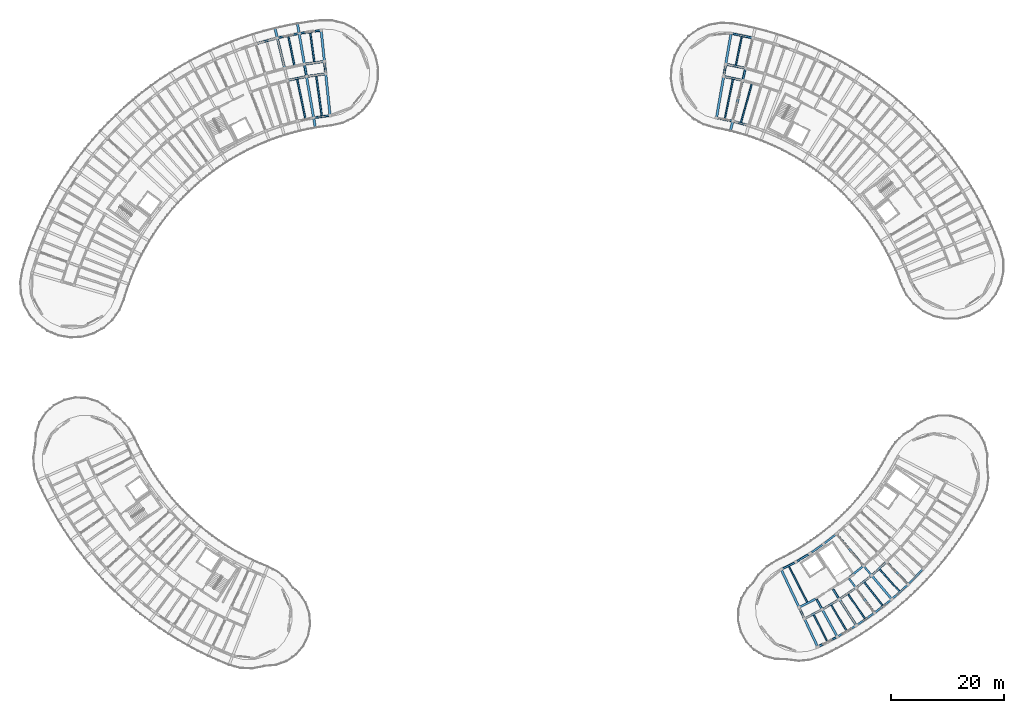
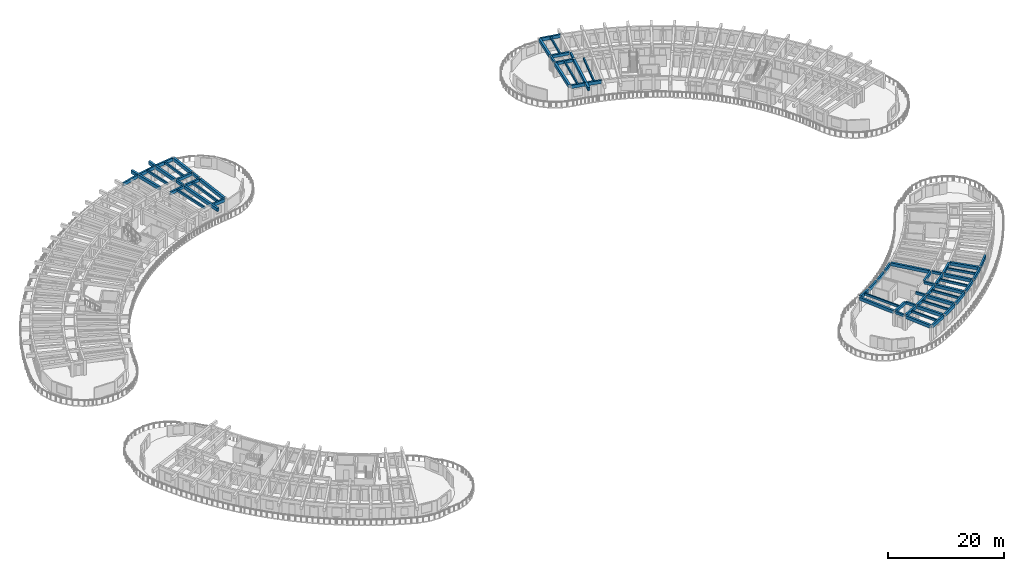
# One storey, part 9 of 56: 67 beams.
"""IFC4 building model written with IfcOpenShell, lengths in metres."""

import ifcopenshell
import ifcopenshell.guid

model = None  # the IFC model being written
_history = None  # IfcOwnerHistory: only IFC2X3 demands one
_inside = {}  # id of a spatial element -> (the spatial element, [elements in it])
_under = {}  # id of a project, library or spatial element -> (it, [spatial elements below it])
_declared = {}  # id of a project -> (the project, [libraries it declares])
_typed = {}  # id of a type object -> (the type object, [elements of that type])
_made_of = {}  # id of a material, layer set ... -> (it, [elements and type objects made of it])


def new_model(schema):
    """Start an empty IFC model of exactly this schema.

    Asked for "IFC4X3", IfcOpenShell would pick the latest addendum, in which some entities
    have other attributes; the version numbers below select the first issue.
    IFC2X3 requires an IfcOwnerHistory on every rooted entity: one is made here for all.
    """
    global model, _history
    if schema == "IFC4X3":
        model = ifcopenshell.file(schema_version=(4, 3, 0, 0))
    else:
        model = ifcopenshell.file(schema=schema)
    _inside.clear()
    _under.clear()
    _declared.clear()
    _typed.clear()
    _made_of.clear()
    _history = None
    if model.schema == "IFC2X3":
        org = make("IfcOrganization", Name="unknown")
        user = make(
            "IfcPersonAndOrganization",
            ThePerson=make("IfcPerson", FamilyName="unknown"),
            TheOrganization=org,
        )
        app = make(
            "IfcApplication",
            ApplicationDeveloper=org,
            Version="unknown",
            ApplicationFullName="unknown",
            ApplicationIdentifier="unknown",
        )
        _history = make(
            "IfcOwnerHistory",
            OwningUser=user,
            OwningApplication=app,
            ChangeAction="ADDED",
            CreationDate=0,
        )
    return model


def make(cls, **values):
    """One entity of the class cls with the attributes given. An attribute that is None is left unset."""
    return model.create_entity(
        cls, **{name: value for name, value in values.items() if value is not None}
    )


def rooted(cls, **values):
    """An entity with a GlobalId (a new one), such as an element, a storey or a relation."""
    return make(cls, GlobalId=ifcopenshell.guid.new(), OwnerHistory=_history, **values)


def si_unit(unit_type, name, prefix=None):
    """IfcSIUnit, for example si_unit("LENGTHUNIT", "METRE", prefix="MILLI")."""
    return make("IfcSIUnit", UnitType=unit_type, Prefix=prefix, Name=name)


def assignment(units):
    """IfcUnitAssignment: the units of a project."""
    return None if units is None else make("IfcUnitAssignment", Units=units)


def point(xyz):
    """IfcCartesianPoint."""
    return None if xyz is None else make("IfcCartesianPoint", Coordinates=xyz)


def direction(xyz):
    """IfcDirection."""
    return None if xyz is None else make("IfcDirection", DirectionRatios=xyz)


def frame(location, z_axis=None, x_axis=None):
    """IfcAxis2Placement3D, a coordinate frame: its origin and axes. An axis left out is left unset."""
    return make(
        "IfcAxis2Placement3D",
        Location=point(location),
        Axis=direction(z_axis),
        RefDirection=direction(x_axis),
    )


def frame_2d(location, x_axis=None):
    """IfcAxis2Placement2D, a coordinate frame in the plane: its origin and x axis."""
    return make(
        "IfcAxis2Placement2D", Location=point(location), RefDirection=direction(x_axis)
    )


def origin():
    """The frame at (0, 0, 0) with its axes left unset."""
    return frame((0.0, 0.0, 0.0))


def origin_2d():
    """The frame at (0, 0) in the plane with its x axis left unset."""
    return frame_2d((0.0, 0.0))


def place(relative_to, where):
    """IfcLocalPlacement: puts the frame where relative to a parent placement (None: the world)."""
    return make(
        "IfcLocalPlacement", PlacementRelTo=relative_to, RelativePlacement=where
    )


def context(
    kind, dimensions, precision=None, world=None, true_north=None, identifier=None
):
    """IfcGeometricRepresentationContext, for example the 3D "Model" context."""
    return make(
        "IfcGeometricRepresentationContext",
        ContextIdentifier=identifier,
        ContextType=kind,
        CoordinateSpaceDimension=dimensions,
        Precision=precision,
        WorldCoordinateSystem=world,
        TrueNorth=true_north,
    )


def subcontext(parent, identifier, kind, view, scale=None):
    """IfcGeometricRepresentationSubContext, for example "Body" below "Model"."""
    return make(
        "IfcGeometricRepresentationSubContext",
        ContextIdentifier=identifier,
        ContextType=kind,
        ParentContext=parent,
        TargetScale=scale,
        TargetView=view,
    )


def project(units=None, contexts=None):
    """IfcProject with its units and contexts."""
    return rooted(
        "IfcProject",
        Name="project",
        RepresentationContexts=contexts,
        UnitsInContext=assignment(units),
    )


def spatial(cls, under=None, at=None, **own):
    """A site, building, storey or space (cls), placed at a placement, below another one or the project."""
    s = rooted(cls, ObjectPlacement=at, **own)
    if under is not None:
        _under.setdefault(under.id(), (under, []))[1].append(s)
    return s


def profile(cls, at=None, kind="AREA", **sizes):
    """A parametric profile (cls). Its sizes go by their IFC names, for example OverallWidth=200.0."""
    return make(cls, ProfileType=kind, Position=at, **sizes)


def rectangle(**sizes):
    """IfcRectangleProfileDef."""
    return profile("IfcRectangleProfileDef", **sizes)


def extrude(swept, where, along, depth):
    """IfcExtrudedAreaSolid: the profile swept, set in the frame where, extruded along a direction by depth."""
    return make(
        "IfcExtrudedAreaSolid",
        SweptArea=swept,
        Position=where,
        ExtrudedDirection=direction(along),
        Depth=depth,
    )


def shape(context_of_items, identifier, shape_type, items):
    """IfcShapeRepresentation: the items that make up one representation, for example the "Body"."""
    return make(
        "IfcShapeRepresentation",
        ContextOfItems=context_of_items,
        RepresentationIdentifier=identifier,
        RepresentationType=shape_type,
        Items=items,
    )


def material(Name=None, Category=None):
    """IfcMaterial."""
    return make("IfcMaterial", Name=Name, Category=Category)


def material_profile(
    of_material, cross_section, Name=None, Category=None, Priority=None
):
    """IfcMaterialProfile: a cross section and its material."""
    return make(
        "IfcMaterialProfile",
        Name=Name,
        Material=of_material,
        Profile=cross_section,
        Priority=Priority,
        Category=Category,
    )


def profile_set(profiles, Name=None, composite=None):
    """IfcMaterialProfileSet."""
    return make(
        "IfcMaterialProfileSet",
        Name=Name,
        MaterialProfiles=profiles,
        CompositeProfile=composite,
    )


def made_of(thing, what):
    """Note that an element or type object is made of a material, layer set ...; save() writes the relation."""
    if what is not None:
        _made_of.setdefault(what.id(), (what, []))[1].append(thing)
    return thing


def type_object(cls, material=None, **own):
    """A type object (cls), such as IfcWallType, which elements share."""
    return made_of(rooted(cls, **own), material)


def element(
    cls,
    number,
    at=None,
    inside=None,
    cuts=None,
    type_object=None,
    material=None,
    context=None,
    identifier="Body",
    shape_type=None,
    held_by="IfcProductDefinitionShape",
    body=None,
    shapes=None,
    **own,
):
    """One element of the class cls, such as IfcWall. Its Tag is "e" and its number.

    at: its placement. inside: the storey or other place that contains it. cuts: it is an
    opening in that element (IfcRelVoidsElement). A single representation is given by context,
    identifier, shape_type and body (its items); several are given by shapes. held_by: the class
    of the entity that holds the representations. save() writes the other relations.
    """
    e = rooted(cls, Tag="e%d" % number, ObjectPlacement=at, **own)
    if body is not None:
        shapes = [shape(context, identifier, shape_type, body)]
    if shapes is not None:
        e.Representation = make(held_by, Representations=shapes)
    if inside is not None:
        _inside.setdefault(inside.id(), (inside, []))[1].append(e)
    if cuts is not None:
        rooted(
            "IfcRelVoidsElement", RelatingBuildingElement=cuts, RelatedOpeningElement=e
        )
    if type_object is not None:
        _typed.setdefault(type_object.id(), (type_object, []))[1].append(e)
    return made_of(e, material)


def aggregate(whole, parts):
    """IfcRelAggregates: a whole, such as a stair, and the parts it consists of."""
    return rooted("IfcRelAggregates", RelatingObject=whole, RelatedObjects=parts)


def save(model, path):
    """Write the relations noted so far, then the file.

    IfcRelAggregates (storeys below a building ...), IfcRelContainedInSpatialStructure (elements
    in a storey), IfcRelDefinesByType, IfcRelAssociatesMaterial and IfcRelDeclares: one each for
    every whole, place, type object, material and project.
    """
    for whole, parts in _under.values():
        aggregate(whole, parts)
    for where, things in _inside.values():
        rooted(
            "IfcRelContainedInSpatialStructure",
            RelatedElements=things,
            RelatingStructure=where,
        )
    for kind, things in _typed.values():
        rooted("IfcRelDefinesByType", RelatedObjects=things, RelatingType=kind)
    for what, things in _made_of.values():
        rooted("IfcRelAssociatesMaterial", RelatedObjects=things, RelatingMaterial=what)
    for by, libraries in _declared.values():
        rooted("IfcRelDeclares", RelatingContext=by, RelatedDefinitions=libraries)
    model.write(path)


model = new_model("IFC4")

# Units and contexts
model_context = context("Model", 3, precision=1e-05, world=origin(), true_north=direction((0.0, 1.0)))
body_context = subcontext(model_context, "Body", "Model", "MODEL_VIEW")
ifc_project = project(units=[si_unit("LENGTHUNIT", "METRE"), si_unit("AREAUNIT", "SQUARE_METRE"), si_unit("VOLUMEUNIT", "CUBIC_METRE"), si_unit("PLANEANGLEUNIT", "RADIAN"), si_unit("MASSUNIT", "GRAM", prefix="KILO")], contexts=[model_context])

# Site, building, storey
site_placement = place(None, origin())
site = spatial("IfcSite", under=ifc_project, at=site_placement, CompositionType="ELEMENT")
building_placement = place(site_placement, origin())
building = spatial("IfcBuilding", under=site, at=building_placement, Name="Tanwirah Colonnade Gardens", CompositionType="ELEMENT")
storey_placement = place(building_placement, frame((0.0, 0.0, 29.0)))
storey = spatial("IfcBuildingStorey", under=building, at=storey_placement, Name="L08", CompositionType="ELEMENT", Elevation=29.0)

# Beams
ifc_material_1 = material(Name="Precast concrete C40/50", Category="concrete")
ifc_material_profile_1 = material_profile(ifc_material_1, rectangle(XDim=0.360107421875, YDim=0.610107421875, at=origin_2d()), Name="PC-BM 360x610")
ifc_profile_set_1 = profile_set([ifc_material_profile_1], Name="Precast concrete C40/50")
beam_type_1 = type_object("IfcBeamType", Name="BM-PC300", PredefinedType="BEAM", material=ifc_profile_set_1)
beam_1_placement = place(storey_placement, frame((143.2509765625, 17.67236328125, 2.820068359375), z_axis=(0.890027741769, 0.45590637074, 0.0), x_axis=(-0.45590637074, 0.890027741769, 0.0)))
element("IfcBeam", 1, at=beam_1_placement, inside=storey, type_object=beam_type_1, Name="Block D L08 Circumferential Beam 3-R1", PredefinedType="BEAM", context=body_context, shape_type="SweptSolid", body=[
    extrude(rectangle(XDim=0.360107421875, YDim=0.610107421875, at=origin_2d()), origin(), (0.0, 0.0, 1.0), 3.093017578125),
])
beam_2_placement = place(storey_placement, frame((144.189453125, 15.6826171875, 2.820068359375), z_axis=(0.890025451153, 0.45591084249, 0.0), x_axis=(-0.45591084249, 0.890025451153, 0.0)))
element("IfcBeam", 2, at=beam_2_placement, inside=storey, type_object=beam_type_1, Name="Block D L08 Circumferential Beam 3-R2", PredefinedType="BEAM", context=body_context, shape_type="SweptSolid", body=[
    extrude(rectangle(XDim=0.360107421875, YDim=0.610107421875, at=origin_2d()), origin(), (0.0, 0.0, 1.0), 3.237060546875),
])
beam_3_placement = place(storey_placement, frame((147.332763671875, 17.3037109375, 2.820068359375), z_axis=(0.858270604513, 0.513197398111, 0.0), x_axis=(-0.513197398111, 0.858270604513, 0.0)))
element("IfcBeam", 3, at=beam_3_placement, inside=storey, type_object=beam_type_1, Name="Block D L08 Circumferential Beam 4-R2", PredefinedType="BEAM", context=body_context, shape_type="SweptSolid", body=[
    extrude(rectangle(XDim=0.360107421875, YDim=0.610107421875, at=origin_2d()), origin(), (0.0, 0.0, 1.0), 3.23681640625),
])
beam_4_placement = place(storey_placement, frame((150.363037109375, 19.126953125, 2.820068359375), z_axis=(0.822889344221, 0.568201660651, 0.0), x_axis=(-0.568201660651, 0.822889344221, 0.0)))
element("IfcBeam", 4, at=beam_4_placement, inside=storey, type_object=beam_type_1, Name="Block D L08 Circumferential Beam 5-R2", PredefinedType="BEAM", context=body_context, shape_type="SweptSolid", body=[
    extrude(rectangle(XDim=0.360107421875, YDim=0.610107421875, at=origin_2d()), origin(), (0.0, 0.0, 1.0), 3.237060546875),
])
beam_5_placement = place(storey_placement, frame((151.959228515625, 22.9130859375, 2.820068359375), z_axis=(0.783962588163, 0.62080807047, 0.0), x_axis=(-0.62080807047, 0.783962588163, 0.0)))
element("IfcBeam", 5, at=beam_5_placement, inside=storey, type_object=beam_type_1, Name="Block D L08 Circumferential Beam 6-R1", PredefinedType="BEAM", context=body_context, shape_type="SweptSolid", body=[
    extrude(rectangle(XDim=0.360107421875, YDim=0.610107421875, at=origin_2d()), origin(), (0.0, 0.0, 1.0), 3.093017578125),
])
beam_6_placement = place(storey_placement, frame((153.267822265625, 21.144775390625, 2.820068359375), z_axis=(0.783993819374, 0.620768629349, 0.0), x_axis=(-0.620768629349, 0.783993819374, 0.0)))
element("IfcBeam", 6, at=beam_6_placement, inside=storey, type_object=beam_type_1, Name="Block D L08 Circumferential Beam 6-R2", PredefinedType="BEAM", context=body_context, shape_type="SweptSolid", body=[
    extrude(rectangle(XDim=0.360107421875, YDim=0.610107421875, at=origin_2d()), origin(), (0.0, 0.0, 1.0), 3.23681640625),
])
beam_7_placement = place(storey_placement, frame((156.0341796875, 23.347900390625, 2.820068359375), z_axis=(0.741701929733, 0.670729638104, 0.0), x_axis=(-0.670729638104, 0.741701929733, 0.0)))
element("IfcBeam", 7, at=beam_7_placement, inside=storey, type_object=beam_type_1, Name="Block D L08 Circumferential Beam 7-R2", PredefinedType="BEAM", context=body_context, shape_type="SweptSolid", body=[
    extrude(rectangle(XDim=0.360107421875, YDim=0.610107421875, at=origin_2d()), origin(), (0.0, 0.0, 1.0), 3.237060546875),
])
ifc_material_profile_2 = material_profile(ifc_material_1, rectangle(XDim=0.320068359375, YDim=0.52001953125, at=origin_2d()), Name="PC-BM 320x520")
ifc_profile_set_2 = profile_set([ifc_material_profile_2], Name="Precast concrete C40/50")
beam_type_2 = type_object("IfcBeamType", Name="BM-PC320", PredefinedType="BEAM", material=ifc_profile_set_2)
for number, where, z_axis, x_axis, name in (
    (8, (133.188232421875, 110.75146484375, 2.85498046875), (0.234364199778, 0.972148868159, 0.0), (-0.972148868159, 0.234364199778, 0.0), "Block B L08 Corridor Tie Beam 16"),
    (9, (129.8310546875, 111.444580078125, 2.85498046875), (0.169855285462, 0.985469016256, 0.0), (-0.985469016256, 0.169855285462, 0.0), "Block B L08 Corridor Tie Beam 17"),
):
    element("IfcBeam", number, at=place(storey_placement, frame(where, z_axis=z_axis, x_axis=x_axis)), inside=storey, type_object=beam_type_2, Name=name, PredefinedType="BEAM", context=body_context, shape_type="SweptSolid", body=[
        extrude(rectangle(XDim=0.320068359375, YDim=0.52001953125, at=origin_2d()), origin(), (0.0, 0.0, 1.0), 1.900146484375),
    ])
beam_8_placement = place(storey_placement, frame((143.181640625, 17.46826171875, 2.864990234375), z_axis=(0.426483812015, -0.904495195172, 0.0), x_axis=(0.904495195172, 0.426483812015, 0.0)))
element("IfcBeam", 10, at=beam_8_placement, inside=storey, type_object=beam_type_2, Name="Block D L08 Corridor Tie Beam 3", PredefinedType="BEAM", context=body_context, shape_type="SweptSolid", body=[
    extrude(rectangle(XDim=0.320068359375, YDim=0.52001953125, at=origin_2d()), origin(), (0.0, 0.0, 1.0), 1.89990234375),
])
beam_9_placement = place(storey_placement, frame((146.210205078125, 19.019775390625, 2.864990234375), z_axis=(0.484791759649, -0.874629607192, 0.0), x_axis=(0.874629607192, 0.484791759649, 0.0)))
element("IfcBeam", 11, at=beam_9_placement, inside=storey, type_object=beam_type_2, Name="Block D L08 Corridor Tie Beam 4", PredefinedType="BEAM", context=body_context, shape_type="SweptSolid", body=[
    extrude(rectangle(XDim=0.320068359375, YDim=0.52001953125, at=origin_2d()), origin(), (0.0, 0.0, 1.0), 1.900146484375),
])
beam_10_placement = place(storey_placement, frame((149.130615234375, 20.765869140625, 2.864990234375), z_axis=(0.540984881989, -0.841032316537, 0.0), x_axis=(0.841032316537, 0.540984881989, 0.0)))
element("IfcBeam", 12, at=beam_10_placement, inside=storey, type_object=beam_type_2, Name="Block D L08 Corridor Tie Beam 5", PredefinedType="BEAM", context=body_context, shape_type="SweptSolid", body=[
    extrude(rectangle(XDim=0.320068359375, YDim=0.52001953125, at=origin_2d()), origin(), (0.0, 0.0, 1.0), 1.89990234375),
])
for number, where, z_axis, x_axis, name in (
    (13, (151.9306640625, 22.699462890625, 2.864990234375), (0.594889497099, -0.803807493273, 0.0), (0.803807493273, 0.594889497099, 0.0), "Block D L08 Corridor Tie Beam 6"),
    (14, (154.598388671875, 24.81201171875, 2.864990234375), (0.646155325581, -0.763205932382, 0.0), (0.763205932382, 0.646155325581, 0.0), "Block D L08 Corridor Tie Beam 7"),
):
    element("IfcBeam", number, at=place(storey_placement, frame(where, z_axis=z_axis, x_axis=x_axis)), inside=storey, type_object=beam_type_2, Name=name, PredefinedType="BEAM", context=body_context, shape_type="SweptSolid", body=[
        extrude(rectangle(XDim=0.320068359375, YDim=0.52001953125, at=origin_2d()), origin(), (0.0, 0.0, 1.0), 1.900146484375),
    ])
ifc_material_profile_3 = material_profile(ifc_material_1, rectangle(XDim=0.35009765625, YDim=0.550048828125, at=origin_2d()), Name="PC-BM 350x550")
ifc_profile_set_3 = profile_set([ifc_material_profile_3], Name="Precast concrete C40/50")
beam_type_3 = type_object("IfcBeamType", Name="BM-PC350A", PredefinedType="BEAM", material=ifc_profile_set_3)
for number, where, z_axis, x_axis, name in (
    (15, (59.564453125, 111.9150390625, 2.840087890625), (-0.104464057197, 0.994528662611, 0.0), (-0.994528662611, -0.104464057197, 0.0), "Block A L08 Corridor Tie Beam 0"),
    (16, (56.1689453125, 111.444580078125, 2.840087890625), (-0.169855285462, 0.985469016256, 0.0), (-0.985469016256, -0.169855285462, 0.0), "Block A L08 Corridor Tie Beam 1"),
):
    element("IfcBeam", number, at=place(storey_placement, frame(where, z_axis=z_axis, x_axis=x_axis)), inside=storey, type_object=beam_type_3, Name=name, PredefinedType="BEAM", context=body_context, shape_type="SweptSolid", body=[
        extrude(rectangle(XDim=0.35009765625, YDim=0.550048828125, at=origin_2d()), origin(), (0.0, 0.0, 1.0), 1.900146484375),
    ])
ifc_material_profile_4 = material_profile(ifc_material_1, rectangle(XDim=0.35009765625, YDim=0.60009765625, at=origin_2d()), Name="PC-BM 350x600")
ifc_profile_set_4 = profile_set([ifc_material_profile_4], Name="Precast concrete C40/50")
beam_type_4 = type_object("IfcBeamType", Name="BM-PC350B", PredefinedType="BEAM", material=ifc_profile_set_4)
beam_11_placement = place(storey_placement, frame((59.431640625, 111.745361328125, 2.81494140625), z_axis=(-0.990535787723, -0.137254702069, 0.0), x_axis=(0.137254702069, -0.990535787723, 0.0)))
element("IfcBeam", 17, at=beam_11_placement, inside=storey, type_object=beam_type_4, Name="Block A L08 Circumferential Beam 0-R1", PredefinedType="BEAM", context=body_context, shape_type="SweptSolid", body=[
    extrude(rectangle(XDim=0.35009765625, YDim=0.60009765625, at=origin_2d()), origin(), (0.0, 0.0, 1.0), 3.1181640625),
])
beam_12_placement = place(storey_placement, frame((59.20166015625, 113.933349609375, 2.81494140625), z_axis=(-0.990530465749, -0.13729310406, 0.0), x_axis=(0.13729310406, -0.990530465749, 0.0)))
element("IfcBeam", 18, at=beam_12_placement, inside=storey, type_object=beam_type_4, Name="Block A L08 Circumferential Beam 0-R2", PredefinedType="BEAM", context=body_context, shape_type="SweptSolid", body=[
    extrude(rectangle(XDim=0.35009765625, YDim=0.60009765625, at=origin_2d()), origin(), (0.0, 0.0, 1.0), 3.26318359375),
])
for number, where, z_axis, x_axis, name in (
    (19, (56.047607421875, 111.2666015625, 2.81494140625), (-0.979335880607, -0.202240532428, 0.0), (0.202240532428, -0.979335880607, 0.0), "Block A L08 Circumferential Beam 1-R1"),
    (20, (133.006103515625, 110.635986328125, 2.81494140625), (-0.979335880607, 0.202240532428, 0.0), (-0.202240532428, -0.979335880607, 0.0), "Block B L08 Circumferential Beam 16-R1"),
):
    element("IfcBeam", number, at=place(storey_placement, frame(where, z_axis=z_axis, x_axis=x_axis)), inside=storey, type_object=beam_type_4, Name=name, PredefinedType="BEAM", context=body_context, shape_type="SweptSolid", body=[
        extrude(rectangle(XDim=0.35009765625, YDim=0.60009765625, at=origin_2d()), origin(), (0.0, 0.0, 1.0), 3.1181640625),
    ])
beam_13_placement = place(storey_placement, frame((133.521728515625, 112.774658203125, 2.81494140625), z_axis=(-0.979335599813, 0.202241892146, 0.0), x_axis=(-0.202241892146, -0.979335599813, 0.0)))
element("IfcBeam", 21, at=beam_13_placement, inside=storey, type_object=beam_type_4, Name="Block B L08 Circumferential Beam 16-R2", PredefinedType="BEAM", context=body_context, shape_type="SweptSolid", body=[
    extrude(rectangle(XDim=0.35009765625, YDim=0.60009765625, at=origin_2d()), origin(), (0.0, 0.0, 1.0), 3.262939453125),
])
ifc_material_2 = material(Name="Precast concrete C45/55", Category="concrete")
ifc_material_profile_5 = material_profile(ifc_material_2, rectangle(XDim=0.39990234375, YDim=0.64990234375, at=origin_2d()), Name="PC-BM 400x650")
ifc_profile_set_5 = profile_set([ifc_material_profile_5], Name="Precast concrete C45/55")
beam_type_5 = type_object("IfcBeamType", Name="BM-PC400", PredefinedType="BEAM", material=ifc_profile_set_5)
beam_14_placement = place(storey_placement, frame((143.0537109375, 17.73974609375, 2.800048828125), z_axis=(-0.426588425311, 0.904445860951, 0.0), x_axis=(-0.904445860951, -0.426588425311, 0.0)))
element("IfcBeam", 22, at=beam_14_placement, inside=storey, type_object=beam_type_5, Name="Block D L08 Inner Radial Precast Girder 3", PredefinedType="BEAM", context=body_context, shape_type="SweptSolid", body=[
    extrude(rectangle(XDim=0.39990234375, YDim=0.64990234375, at=origin_2d()), origin(), (0.0, 0.0, 1.0), 7.10009765625),
])
for number, where, z_axis, x_axis, name in (
    (23, (144.1201171875, 15.478515625, 2.800048828125), (0.426549833975, -0.904464061827, 0.0), (0.904464061827, 0.426549833975, 0.0), "Block D L08 Outer Radial Precast Girder 3"),
    (24, (147.276611328125, 17.095703125, 2.800048828125), (0.484801599806, -0.874624152894, 0.0), (0.874624152894, 0.484801599806, 0.0), "Block D L08 Outer Radial Precast Girder 4"),
    (25, (150.32080078125, 18.915771484375, 2.800048828125), (0.540952154563, -0.841053367197, 0.0), (0.841053367197, 0.540952154563, 0.0), "Block D L08 Outer Radial Precast Girder 5"),
    (26, (153.239501953125, 20.930908203125, 2.800048828125), (0.594826622676, -0.803854022168, 0.0), (0.803854022168, 0.594826622676, 0.0), "Block D L08 Outer Radial Precast Girder 6"),
):
    element("IfcBeam", number, at=place(storey_placement, frame(where, z_axis=z_axis, x_axis=x_axis)), inside=storey, type_object=beam_type_5, Name=name, PredefinedType="BEAM", context=body_context, shape_type="SweptSolid", body=[
        extrude(rectangle(XDim=0.39990234375, YDim=0.64990234375, at=origin_2d()), origin(), (0.0, 0.0, 1.0), 5.199951171875),
    ])
beam_15_placement = place(storey_placement, frame((154.404541015625, 25.040771484375, 2.800048828125), z_axis=(-0.646117950032, 0.763237574184, 0.0), x_axis=(-0.763237574184, -0.646117950032, 0.0)))
element("IfcBeam", 27, at=beam_15_placement, inside=storey, type_object=beam_type_5, Name="Block D L08 Inner Radial Precast Girder 7", PredefinedType="BEAM", context=body_context, shape_type="SweptSolid", body=[
    extrude(rectangle(XDim=0.39990234375, YDim=0.64990234375, at=origin_2d()), origin(), (0.0, 0.0, 1.0), 7.099853515625),
])
for number, where, z_axis, x_axis, name in (
    (28, (156.02001953125, 23.1328125, 2.800048828125), (0.64613164223, -0.763225982858, 0.0), (0.763225982858, 0.64613164223, 0.0), "Block D L08 Outer Radial Precast Girder 7"),
    (29, (158.650390625, 25.51171875, 2.800048828125), (0.69467494586, -0.719323793291, 0.0), (0.719323793291, 0.69467494586, 0.0), "Block D L08 Outer Radial Precast Girder 8"),
):
    element("IfcBeam", number, at=place(storey_placement, frame(where, z_axis=z_axis, x_axis=x_axis)), inside=storey, type_object=beam_type_5, Name=name, PredefinedType="BEAM", context=body_context, shape_type="SweptSolid", body=[
        extrude(rectangle(XDim=0.39990234375, YDim=0.64990234375, at=origin_2d()), origin(), (0.0, 0.0, 1.0), 5.199951171875),
    ])
ifc_material_profile_6 = material_profile(ifc_material_2, rectangle(XDim=0.419921875, YDim=0.679931640625, at=origin_2d()), Name="PC-BM 420x680")
ifc_profile_set_6 = profile_set([ifc_material_profile_6], Name="Precast concrete C45/55")
beam_type_6 = type_object("IfcBeamType", Name="BM-PC420", PredefinedType="BEAM", material=ifc_profile_set_6)
beam_16_placement = place(storey_placement, frame((59.595947265625, 111.61669921875, 2.77490234375), z_axis=(0.104534425586, -0.994521268685, 0.0), x_axis=(0.994521268685, 0.104534425586, 0.0)))
element("IfcBeam", 30, at=beam_16_placement, inside=storey, type_object=beam_type_6, Name="Block A L08 Inner Radial Precast Girder 0", PredefinedType="BEAM", context=body_context, shape_type="SweptSolid", body=[
    extrude(rectangle(XDim=0.419921875, YDim=0.679931640625, at=origin_2d()), origin(), (0.0, 0.0, 1.0), 7.099853515625),
])
beam_17_placement = place(storey_placement, frame((59.33447265625, 114.10302734375, 2.77490234375), z_axis=(-0.104508820017, 0.994523959761, 0.0), x_axis=(-0.994523959761, -0.104508820017, 0.0)))
element("IfcBeam", 31, at=beam_17_placement, inside=storey, type_object=beam_type_6, Name="Block A L08 Outer Radial Precast Girder 0", PredefinedType="BEAM", context=body_context, shape_type="SweptSolid", body=[
    extrude(rectangle(XDim=0.419921875, YDim=0.679931640625, at=origin_2d()), origin(), (0.0, 0.0, 1.0), 5.2001953125),
])
beam_18_placement = place(storey_placement, frame((56.219970703125, 111.14892578125, 2.77490234375), z_axis=(0.169837490725, -0.985472083189, 0.0), x_axis=(0.985472083189, 0.169837490725, 0.0)))
element("IfcBeam", 32, at=beam_18_placement, inside=storey, type_object=beam_type_6, Name="Block A L08 Inner Radial Precast Girder 1", PredefinedType="BEAM", context=body_context, shape_type="SweptSolid", body=[
    extrude(rectangle(XDim=0.419921875, YDim=0.679931640625, at=origin_2d()), origin(), (0.0, 0.0, 1.0), 8.949951171875),
])
for number, where, z_axis, x_axis, name in (
    (33, (55.79541015625, 113.61279296875, 2.77490234375), (-0.169826898404, 0.985473908624, 0.0), (-0.985473908624, -0.169826898404, 0.0), "Block A L08 Outer Radial Precast Girder 1"),
    (34, (52.296142578125, 112.89013671875, 2.77490234375), (-0.234378734126, 0.972145364125, 0.0), (-0.972145364125, -0.234378734126, 0.0), "Block A L08 Outer Radial Precast Girder 2"),
):
    element("IfcBeam", number, at=place(storey_placement, frame(where, z_axis=z_axis, x_axis=x_axis)), inside=storey, type_object=beam_type_6, Name=name, PredefinedType="BEAM", context=body_context, shape_type="SweptSolid", body=[
        extrude(rectangle(XDim=0.419921875, YDim=0.679931640625, at=origin_2d()), origin(), (0.0, 0.0, 1.0), 7.0498046875),
    ])
beam_19_placement = place(storey_placement, frame((133.117919921875, 110.459716796875, 2.77490234375), z_axis=(-0.234401428133, -0.972139892448, 0.0), x_axis=(0.972139892448, -0.234401428133, 0.0)))
element("IfcBeam", 35, at=beam_19_placement, inside=storey, type_object=beam_type_6, Name="Block B L08 Inner Radial Precast Girder 16", PredefinedType="BEAM", context=body_context, shape_type="SweptSolid", body=[
    extrude(rectangle(XDim=0.419921875, YDim=0.679931640625, at=origin_2d()), origin(), (0.0, 0.0, 1.0), 8.949951171875),
])
beam_20_placement = place(storey_placement, frame((129.780029296875, 111.14892578125, 2.77490234375), z_axis=(-0.16983322007, -0.985472819189, 0.0), x_axis=(0.985472819189, -0.16983322007, 0.0)))
element("IfcBeam", 36, at=beam_20_placement, inside=storey, type_object=beam_type_6, Name="Block B L08 Inner Radial Precast Girder 17", PredefinedType="BEAM", context=body_context, shape_type="SweptSolid", body=[
    extrude(rectangle(XDim=0.419921875, YDim=0.679931640625, at=origin_2d()), origin(), (0.0, 0.0, 1.0), 7.099853515625),
])
beam_21_placement = place(storey_placement, frame((130.20458984375, 113.61279296875, 2.77490234375), z_axis=(0.169825156661, 0.985474208777, 0.0), x_axis=(-0.985474208777, 0.169825156661, 0.0)))
element("IfcBeam", 37, at=beam_21_placement, inside=storey, type_object=beam_type_6, Name="Block B L08 Outer Radial Precast Girder 17", PredefinedType="BEAM", context=body_context, shape_type="SweptSolid", body=[
    extrude(rectangle(XDim=0.419921875, YDim=0.679931640625, at=origin_2d()), origin(), (0.0, 0.0, 1.0), 5.19970703125),
])
ifc_material_profile_7 = material_profile(ifc_material_1, rectangle(XDim=0.2548828125, YDim=0.455078125, at=origin_2d()), Name="PC-JST 255x455")
ifc_profile_set_7 = profile_set([ifc_material_profile_7], Name="Precast concrete C40/50")
beam_type_7 = type_object("IfcBeamType", Name="JST-PC240", PredefinedType="JOIST", material=ifc_profile_set_7)
beam_22_placement = place(storey_placement, frame((145.697998046875, 16.287841796875, 2.8974609375), z_axis=(0.455936851617, -0.890012127635, 0.0), x_axis=(0.890012127635, 0.455936851617, 0.0)))
element("IfcBeam", 38, at=beam_22_placement, inside=storey, type_object=beam_type_7, Name="Block D L08 Precast Floor Joist 3", PredefinedType="JOIST", context=body_context, shape_type="SweptSolid", body=[
    extrude(rectangle(XDim=0.2548828125, YDim=0.455078125, at=origin_2d()), origin(), (0.0, 0.0, 1.0), 5.260009765625),
])
beam_23_placement = place(storey_placement, frame((141.321044921875, 24.83203125, 2.8974609375), z_axis=(0.455921327553, -0.890020080157, 0.0), x_axis=(0.890020080157, 0.455921327553, 0.0)))
element("IfcBeam", 39, at=beam_23_placement, inside=storey, type_object=beam_type_7, Name="Block D L08 Inner Precast Floor Joist 3", PredefinedType="JOIST", context=body_context, shape_type="SweptSolid", body=[
    extrude(rectangle(XDim=0.2548828125, YDim=0.455078125, at=origin_2d()), origin(), (0.0, 0.0, 1.0), 7.159912109375),
])
for number, where, z_axis, x_axis, name in (
    (40, (148.79833984375, 18.006591796875, 2.8974609375), (0.513157303227, -0.858294577721, 0.0), (0.858294577721, 0.513157303227, 0.0), "Block D L08 Precast Floor Joist 4"),
    (41, (151.779541015625, 19.924072265625, 2.8974609375), (0.56820792868, -0.822885016138, 0.0), (0.822885016138, 0.56820792868, 0.0), "Block D L08 Precast Floor Joist 5"),
    (42, (154.629150390625, 22.03271484375, 2.8974609375), (0.620787347885, -0.783978997617, 0.0), (0.783978997617, 0.620787347885, 0.0), "Block D L08 Precast Floor Joist 6"),
    (43, (157.33447265625, 24.322998046875, 2.8974609375), (0.670780841255, -0.741655622918, 0.0), (0.741655622918, 0.670780841255, 0.0), "Block D L08 Precast Floor Joist 7"),
):
    element("IfcBeam", number, at=place(storey_placement, frame(where, z_axis=z_axis, x_axis=x_axis)), inside=storey, type_object=beam_type_7, Name=name, PredefinedType="JOIST", context=body_context, shape_type="SweptSolid", body=[
        extrude(rectangle(XDim=0.2548828125, YDim=0.455078125, at=origin_2d()), origin(), (0.0, 0.0, 1.0), 5.260009765625),
    ])
ifc_material_profile_8 = material_profile(ifc_material_1, rectangle(XDim=0.260009765625, YDim=0.4599609375, at=origin_2d()), Name="PC-JST 260x460")
ifc_profile_set_8 = profile_set([ifc_material_profile_8], Name="Precast concrete C40/50")
beam_type_8 = type_object("IfcBeamType", Name="JST-PC260", PredefinedType="JOIST", material=ifc_profile_set_8)
beam_24_placement = place(storey_placement, frame((132.869140625, 103.16064453125, 2.885009765625), z_axis=(0.266307034535, 0.963888252526, 0.0), x_axis=(-0.963888252526, 0.266307034535, 0.0)))
element("IfcBeam", 44, at=beam_24_placement, inside=storey, type_object=beam_type_8, Name="Block B L08 Inner Precast Floor Joist 15", PredefinedType="JOIST", context=body_context, shape_type="SweptSolid", body=[
    extrude(rectangle(XDim=0.260009765625, YDim=0.4599609375, at=origin_2d()), origin(), (0.0, 0.0, 1.0), 7.159912109375),
])
beam_25_placement = place(storey_placement, frame((131.9541015625, 113.2509765625, 2.885009765625), z_axis=(0.202235688429, 0.979336880918, 0.0), x_axis=(-0.979336880918, 0.202235688429, 0.0)))
element("IfcBeam", 45, at=beam_25_placement, inside=storey, type_object=beam_type_8, Name="Block B L08 Precast Floor Joist 16", PredefinedType="JOIST", context=body_context, shape_type="SweptSolid", body=[
    extrude(rectangle(XDim=0.260009765625, YDim=0.4599609375, at=origin_2d()), origin(), (0.0, 0.0, 1.0), 5.259765625),
])
beam_26_placement = place(storey_placement, frame((130.012939453125, 103.84912109375, 2.885009765625), z_axis=(0.202197428816, 0.979344780851, 0.0), x_axis=(-0.979344780851, 0.202197428816, 0.0)))
element("IfcBeam", 46, at=beam_26_placement, inside=storey, type_object=beam_type_8, Name="Block B L08 Inner Precast Floor Joist 16", PredefinedType="JOIST", context=body_context, shape_type="SweptSolid", body=[
    extrude(rectangle(XDim=0.260009765625, YDim=0.4599609375, at=origin_2d()), origin(), (0.0, 0.0, 1.0), 7.16015625),
])
ifc_material_profile_9 = material_profile(ifc_material_1, rectangle(XDim=0.280029296875, YDim=0.47998046875, at=origin_2d()), Name="PC-JST 280x480")
ifc_profile_set_9 = profile_set([ifc_material_profile_9], Name="Precast concrete C40/50")
beam_type_9 = type_object("IfcBeamType", Name="JST-PC280", PredefinedType="JOIST", material=ifc_profile_set_9)
beam_27_placement = place(storey_placement, frame((57.56494140625, 113.857421875, 2.875), z_axis=(-0.137248344923, 0.990536668587, 0.0), x_axis=(-0.990536668587, -0.137248344923, 0.0)))
element("IfcBeam", 47, at=beam_27_placement, inside=storey, type_object=beam_type_9, Name="Block A L08 Precast Floor Joist 0", PredefinedType="JOIST", context=body_context, shape_type="SweptSolid", body=[
    extrude(rectangle(XDim=0.280029296875, YDim=0.47998046875, at=origin_2d()), origin(), (0.0, 0.0, 1.0), 5.260009765625),
])
beam_28_placement = place(storey_placement, frame((58.882568359375, 104.34814453125, 2.875), z_axis=(-0.137243132462, 0.99053739081, 0.0), x_axis=(-0.99053739081, -0.137243132462, 0.0)))
element("IfcBeam", 48, at=beam_28_placement, inside=storey, type_object=beam_type_9, Name="Block A L08 Inner Precast Floor Joist 0", PredefinedType="JOIST", context=body_context, shape_type="SweptSolid", body=[
    extrude(rectangle(XDim=0.280029296875, YDim=0.47998046875, at=origin_2d()), origin(), (0.0, 0.0, 1.0), 7.16015625),
])
beam_29_placement = place(storey_placement, frame((54.0458984375, 113.2509765625, 2.875), z_axis=(-0.202235688429, 0.979336880918, 0.0), x_axis=(-0.979336880918, -0.202235688429, 0.0)))
element("IfcBeam", 49, at=beam_29_placement, inside=storey, type_object=beam_type_9, Name="Block A L08 Precast Floor Joist 1", PredefinedType="JOIST", context=body_context, shape_type="SweptSolid", body=[
    extrude(rectangle(XDim=0.280029296875, YDim=0.47998046875, at=origin_2d()), origin(), (0.0, 0.0, 1.0), 5.259765625),
])
beam_30_placement = place(storey_placement, frame((55.987060546875, 103.84912109375, 2.875), z_axis=(-0.202197428816, 0.979344780851, 0.0), x_axis=(-0.979344780851, -0.202197428816, 0.0)))
element("IfcBeam", 50, at=beam_30_placement, inside=storey, type_object=beam_type_9, Name="Block A L08 Inner Precast Floor Joist 1", PredefinedType="JOIST", context=body_context, shape_type="SweptSolid", body=[
    extrude(rectangle(XDim=0.280029296875, YDim=0.47998046875, at=origin_2d()), origin(), (0.0, 0.0, 1.0), 7.16015625),
])
ifc_material_profile_10 = material_profile(ifc_material_1, rectangle(XDim=0.324951171875, YDim=0.68505859375, at=origin_2d()), Name="PC-SP 325x685")
ifc_profile_set_10 = profile_set([ifc_material_profile_10], Name="Precast concrete C40/50")
beam_type_10 = type_object("IfcBeamType", Name="SP-PC260", PredefinedType="SPANDREL", material=ifc_profile_set_10)
beam_31_placement = place(storey_placement, frame((140.094482421875, 24.365478515625, 2.782470703125), z_axis=(0.890042438658, 0.455877678097, 0.0), x_axis=(-0.455877678097, 0.890042438658, 0.0)))
element("IfcBeam", 51, at=beam_31_placement, inside=storey, type_object=beam_type_10, Name="Block D L08 Circumferential Beam 3-R0", PredefinedType="SPANDREL", context=body_context, shape_type="SweptSolid", body=[
    extrude(rectangle(XDim=0.324951171875, YDim=0.68505859375, at=origin_2d()), origin(), (0.0, 0.0, 1.0), 2.608642578125),
])
beam_32_placement = place(storey_placement, frame((146.53564453125, 10.7080078125, 2.782470703125), z_axis=(0.890013134589, 0.455934885985, 0.0), x_axis=(-0.455934885985, 0.890013134589, 0.0)))
element("IfcBeam", 52, at=beam_32_placement, inside=storey, type_object=beam_type_10, Name="Block D L08 Circumferential Beam 3-R3", PredefinedType="SPANDREL", context=body_context, shape_type="SweptSolid", body=[
    extrude(rectangle(XDim=0.324951171875, YDim=0.68505859375, at=origin_2d()), origin(), (0.0, 0.0, 1.0), 3.5966796875),
])
beam_33_placement = place(storey_placement, frame((142.678466796875, 25.7001953125, 2.782470703125), z_axis=(0.858301131151, 0.513146341958, 0.0), x_axis=(-0.513146341958, 0.858301131151, 0.0)))
element("IfcBeam", 53, at=beam_33_placement, inside=storey, type_object=beam_type_10, Name="Block D L08 Circumferential Beam 4-R0", PredefinedType="SPANDREL", context=body_context, shape_type="SweptSolid", body=[
    extrude(rectangle(XDim=0.324951171875, YDim=0.68505859375, at=origin_2d()), origin(), (0.0, 0.0, 1.0), 2.608642578125),
])
beam_34_placement = place(storey_placement, frame((149.999267578125, 12.493408203125, 2.782470703125), z_axis=(0.858282522832, 0.513177465407, 0.0), x_axis=(-0.513177465407, 0.858282522832, 0.0)))
element("IfcBeam", 54, at=beam_34_placement, inside=storey, type_object=beam_type_10, Name="Block D L08 Circumferential Beam 4-R3", PredefinedType="SPANDREL", context=body_context, shape_type="SweptSolid", body=[
    extrude(rectangle(XDim=0.324951171875, YDim=0.68505859375, at=origin_2d()), origin(), (0.0, 0.0, 1.0), 3.5966796875),
])
beam_35_placement = place(storey_placement, frame((145.169677734375, 27.200927734375, 2.782470703125), z_axis=(0.822868771031, 0.568231454305, 0.0), x_axis=(-0.568231454305, 0.822868771031, 0.0)))
element("IfcBeam", 55, at=beam_35_placement, inside=storey, type_object=beam_type_10, Name="Block D L08 Circumferential Beam 5-R0", PredefinedType="SPANDREL", context=body_context, shape_type="SweptSolid", body=[
    extrude(rectangle(XDim=0.324951171875, YDim=0.68505859375, at=origin_2d()), origin(), (0.0, 0.0, 1.0), 2.60888671875),
])
beam_36_placement = place(storey_placement, frame((153.33837890625, 14.50146484375, 2.782470703125), z_axis=(0.822907478943, 0.568175396423, 0.0), x_axis=(-0.568175396423, 0.822907478943, 0.0)))
element("IfcBeam", 56, at=beam_36_placement, inside=storey, type_object=beam_type_10, Name="Block D L08 Circumferential Beam 5-R3", PredefinedType="SPANDREL", context=body_context, shape_type="SweptSolid", body=[
    extrude(rectangle(XDim=0.324951171875, YDim=0.68505859375, at=origin_2d()), origin(), (0.0, 0.0, 1.0), 3.596923828125),
])
beam_37_placement = place(storey_placement, frame((147.557373046875, 28.861572265625, 2.782470703125), z_axis=(0.783945239852, 0.62082997746, 0.0), x_axis=(-0.62082997746, 0.783945239852, 0.0)))
element("IfcBeam", 57, at=beam_37_placement, inside=storey, type_object=beam_type_10, Name="Block D L08 Circumferential Beam 6-R0", PredefinedType="SPANDREL", context=body_context, shape_type="SweptSolid", body=[
    extrude(rectangle(XDim=0.324951171875, YDim=0.68505859375, at=origin_2d()), origin(), (0.0, 0.0, 1.0), 2.60888671875),
])
for number, where, z_axis, x_axis, name in (
    (58, (156.539306640625, 16.723388671875, 2.782470703125), (0.783971495357, 0.620796822211, 0.0), (-0.620796822211, 0.783971495357, 0.0), "Block D L08 Circumferential Beam 6-R3"),
    (59, (159.587890625, 19.150146484375, 2.782470703125), (0.741682092868, 0.670751573325, 0.0), (-0.670751573325, 0.741682092868, 0.0), "Block D L08 Circumferential Beam 7-R3"),
):
    element("IfcBeam", number, at=place(storey_placement, frame(where, z_axis=z_axis, x_axis=x_axis)), inside=storey, type_object=beam_type_10, Name=name, PredefinedType="SPANDREL", context=body_context, shape_type="SweptSolid", body=[
        extrude(rectangle(XDim=0.324951171875, YDim=0.68505859375, at=origin_2d()), origin(), (0.0, 0.0, 1.0), 3.596923828125),
    ])
beam_38_placement = place(storey_placement, frame((162.471435546875, 21.77099609375, 2.782470703125), z_axis=(0.696231699401, 0.717817122079, 0.0), x_axis=(-0.717817122079, 0.696231699401, 0.0)))
element("IfcBeam", 60, at=beam_38_placement, inside=storey, type_object=beam_type_10, Name="Block D L08 Circumferential Beam 8-R3", PredefinedType="SPANDREL", context=body_context, shape_type="SweptSolid", body=[
    extrude(rectangle(XDim=0.324951171875, YDim=0.68505859375, at=origin_2d()), origin(), (0.0, 0.0, 1.0), 3.5966796875),
])
ifc_material_profile_11 = material_profile(ifc_material_1, rectangle(XDim=0.3349609375, YDim=0.695068359375, at=origin_2d()), Name="PC-SP 335x695")
ifc_profile_set_11 = profile_set([ifc_material_profile_11], Name="Precast concrete C40/50")
beam_type_11 = type_object("IfcBeamType", Name="SP-PC300", PredefinedType="SPANDREL", material=ifc_profile_set_11)
for number, where, z_axis, x_axis, name in (
    (61, (134.098388671875, 102.67138671875, 2.767578125), (-0.96388669146, 0.266312684688, 0.0), (-0.266312684688, -0.96388669146, 0.0), "Block B L08 Circumferential Beam 15-R0"),
    (62, (131.271728515625, 103.442138671875, 2.767578125), (-0.979351764611, 0.202163599974, 0.0), (-0.202163599974, -0.979351764611, 0.0), "Block B L08 Circumferential Beam 16-R0"),
):
    element("IfcBeam", number, at=place(storey_placement, frame(where, z_axis=z_axis, x_axis=x_axis)), inside=storey, type_object=beam_type_11, Name=name, PredefinedType="SPANDREL", context=body_context, shape_type="SweptSolid", body=[
        extrude(rectangle(XDim=0.3349609375, YDim=0.695068359375, at=origin_2d()), origin(), (0.0, 0.0, 1.0), 2.630126953125),
    ])
beam_39_placement = place(storey_placement, frame((134.810791015625, 118.121337890625, 2.767578125), z_axis=(-0.979328544205, 0.202276055197, 0.0), x_axis=(-0.202276055197, -0.979328544205, 0.0)))
element("IfcBeam", 63, at=beam_39_placement, inside=storey, type_object=beam_type_11, Name="Block B L08 Circumferential Beam 16-R3", PredefinedType="SPANDREL", context=body_context, shape_type="SweptSolid", body=[
    extrude(rectangle(XDim=0.3349609375, YDim=0.695068359375, at=origin_2d()), origin(), (0.0, 0.0, 1.0), 3.625732421875),
])
ifc_material_profile_12 = material_profile(ifc_material_2, rectangle(XDim=0.320068359375, YDim=0.679931640625, at=origin_2d()), Name="PC-SP 320x680")
ifc_profile_set_12 = profile_set([ifc_material_profile_12], Name="Precast concrete C45/55")
beam_type_12 = type_object("IfcBeamType", Name="SP-PC320", PredefinedType="SPANDREL", material=ifc_profile_set_12)
beam_40_placement = place(storey_placement, frame((60.205078125, 104.385986328125, 2.77490234375), z_axis=(-0.990531232354, -0.13728757311, 0.0), x_axis=(0.13728757311, -0.990531232354, 0.0)))
element("IfcBeam", 64, at=beam_40_placement, inside=storey, type_object=beam_type_12, Name="Block A L08 Circumferential Beam 0-R0", PredefinedType="SPANDREL", context=body_context, shape_type="SweptSolid", body=[
    extrude(rectangle(XDim=0.320068359375, YDim=0.679931640625, at=origin_2d()), origin(), (0.0, 0.0, 1.0), 2.630126953125),
])
for number, where, z_axis, x_axis, name in (
    (65, (58.626708984375, 119.403076171875, 2.77490234375), (-0.990538603978, -0.137234376268, 0.0), (0.137234376268, -0.990538603978, 0.0), "Block A L08 Circumferential Beam 0-R3"),
    (66, (54.739990234375, 118.854736328125, 2.77490234375), (-0.979328544205, -0.202276055197, 0.0), (0.202276055197, -0.979328544205, 0.0), "Block A L08 Circumferential Beam 1-R3"),
    (67, (50.897705078125, 118.05126953125, 2.77490234375), (-0.963888380927, -0.266306569792, 0.0), (0.266306569792, -0.963888380927, 0.0), "Block A L08 Circumferential Beam 2-R3"),
):
    element("IfcBeam", number, at=place(storey_placement, frame(where, z_axis=z_axis, x_axis=x_axis)), inside=storey, type_object=beam_type_12, Name=name, PredefinedType="SPANDREL", context=body_context, shape_type="SweptSolid", body=[
        extrude(rectangle(XDim=0.320068359375, YDim=0.679931640625, at=origin_2d()), origin(), (0.0, 0.0, 1.0), 3.625732421875),
    ])

save(model, "model.ifc")
